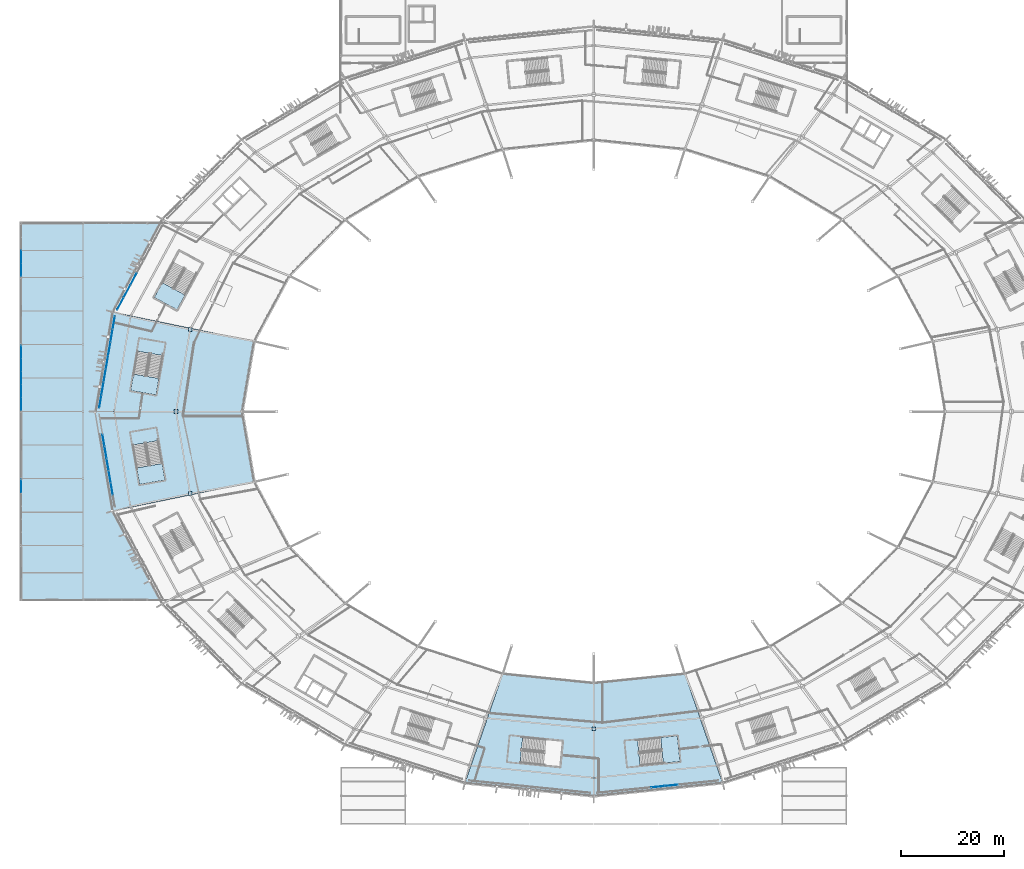
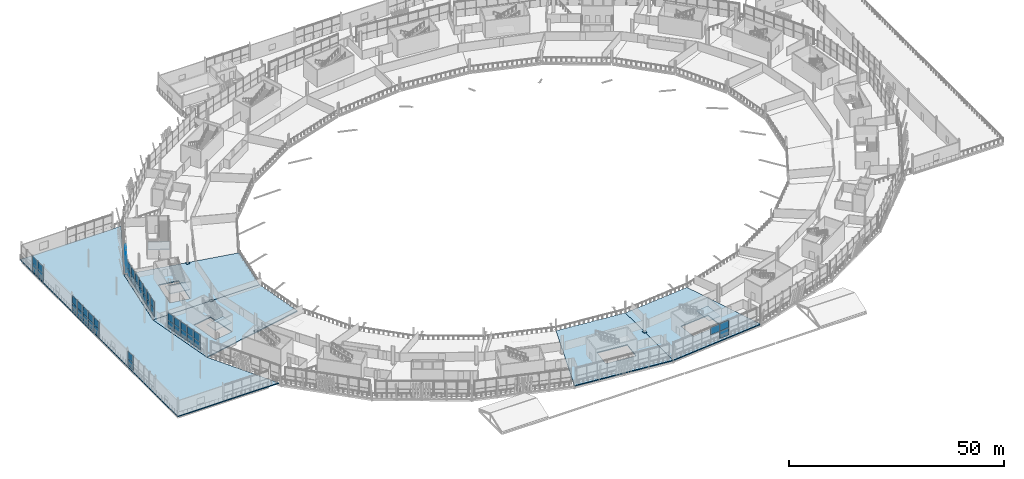
# One storey, part 84 of 168: 52 plates, 9 slabs, 11 elements without a shape of their own.
"""IFC4 building model written with IfcOpenShell, lengths in metres."""

from ifc_helpers import new_model, si_unit, direction, frame, origin, origin_2d, place, context, subcontext, project, spatial, polyline, rectangle, outline, extrude, material, layer, layer_set, type_object, element, aggregate, save


model = new_model("IFC4")

# Units and contexts
model_context = context("Model", 3, precision=1e-05, world=origin(), true_north=direction((0.0, 1.0)))
body_context = subcontext(model_context, "Body", "Model", "MODEL_VIEW")
ifc_project = project(units=[si_unit("LENGTHUNIT", "METRE"), si_unit("AREAUNIT", "SQUARE_METRE"), si_unit("VOLUMEUNIT", "CUBIC_METRE"), si_unit("PLANEANGLEUNIT", "RADIAN"), si_unit("MASSUNIT", "GRAM", prefix="KILO")], contexts=[model_context])

# Site, building, storey
site_placement = place(None, origin())
site = spatial("IfcSite", under=ifc_project, at=site_placement, CompositionType="ELEMENT")
building_placement = place(site_placement, origin())
building = spatial("IfcBuilding", under=site, at=building_placement, Name="Zlatoyarsky Gate Stadium", CompositionType="ELEMENT")
storey_placement = place(building_placement, frame((0.0, 0.0, 15.60009765625)))
storey = spatial("IfcBuildingStorey", under=building, at=storey_placement, Name="L03", CompositionType="ELEMENT", Elevation=15.60009765625)

# Curtain wall, plates
ifc_material_1 = material(Name="Thermally broken anodised aluminium curtain wall", Category="aluminium")
curtain_wall_type_1 = type_object("IfcCurtainWallType", Name="MONUMENTAL ARCHED GATE GLAZING UPPER", PredefinedType="USERDEFINED", material=ifc_material_1)
curtain_wall_1_placement = place(storey_placement, origin())
curtain_wall_1 = element("IfcCurtainWall", 1, at=curtain_wall_1_placement, inside=storey, type_object=curtain_wall_type_1, Name="Curtain wall CW-L03-12", ObjectType="ARCHED GATE GLAZING", PredefinedType="USERDEFINED")
ifc_material_2 = material(Name="Triple-glazed argon low-e architectural glass", Category="glass")
ifc_layer_1 = layer(ifc_material_2, 0.0458984375)
ifc_layer_set_1 = layer_set([ifc_layer_1], Name="Triple-glazed argon low-e architectural glass")
plate_type_1 = type_object("IfcPlateType", Name="ACOUSTIC LAMINATED GATE GLAZING PANEL 46", PredefinedType="CURTAIN_PANEL", material=ifc_layer_set_1)
plate_1_placement = place(storey_placement, frame((15.951171875, 74.41796875, 0.074951171875), z_axis=(0.0, 0.0, 1.0), x_axis=(0.168353683036, -0.985726654508, 0.0)))
plate_1 = element("IfcPlate", 2, at=plate_1_placement, type_object=plate_type_1, Name="CW-AG2 panel 1.1", PredefinedType="CURTAIN_PANEL", context=body_context, shape_type="SweptSolid", body=[
    extrude(rectangle(XDim=2.27587890625, YDim=0.0458984375, at=origin_2d()), origin(), (0.0, 0.0, 1.0), 2.03759765625),
])
plate_2_placement = place(storey_placement, frame((15.951171875, 74.41796875, 2.1875), z_axis=(0.0, 0.0, 1.0), x_axis=(0.168353683036, -0.985726654508, 0.0)))
plate_2 = element("IfcPlate", 3, at=plate_2_placement, type_object=plate_type_1, Name="CW-AG2 panel 1.2", PredefinedType="CURTAIN_PANEL", context=body_context, shape_type="SweptSolid", body=[
    extrude(rectangle(XDim=2.27587890625, YDim=0.0458984375, at=origin_2d()), origin(), (0.0, 0.0, 1.0), 2.117431640625),
])
plate_3_placement = place(storey_placement, frame((16.35009765625, 72.08203125, 0.074951171875), z_axis=(0.0, 0.0, 1.0), x_axis=(0.168353683036, -0.985726654508, 0.0)))
plate_3 = element("IfcPlate", 4, at=plate_3_placement, type_object=plate_type_1, Name="CW-AG2 panel 2.1", PredefinedType="CURTAIN_PANEL", context=body_context, shape_type="SweptSolid", body=[
    extrude(rectangle(XDim=2.3134765625, YDim=0.0458984375, at=origin_2d()), origin(), (0.0, 0.0, 1.0), 2.03759765625),
])
plate_4_placement = place(storey_placement, frame((16.35009765625, 72.08203125, 2.1875), z_axis=(0.0, 0.0, 1.0), x_axis=(0.168353683036, -0.985726654508, 0.0)))
plate_4 = element("IfcPlate", 5, at=plate_4_placement, type_object=plate_type_1, Name="CW-AG2 panel 2.2", PredefinedType="CURTAIN_PANEL", context=body_context, shape_type="SweptSolid", body=[
    extrude(rectangle(XDim=2.3134765625, YDim=0.0458984375, at=origin_2d()), origin(), (0.0, 0.0, 1.0), 2.117431640625),
])
plate_5_placement = place(storey_placement, frame((16.752197265625, 69.727783203125, 0.074951171875), z_axis=(0.0, 0.0, 1.0), x_axis=(0.168353683036, -0.985726654508, 0.0)))
plate_5 = element("IfcPlate", 6, at=plate_5_placement, type_object=plate_type_1, Name="CW-AG2 panel 3.1", PredefinedType="CURTAIN_PANEL", context=body_context, shape_type="SweptSolid", body=[
    extrude(rectangle(XDim=2.3134765625, YDim=0.0458984375, at=origin_2d()), origin(), (0.0, 0.0, 1.0), 2.03759765625),
])
plate_6_placement = place(storey_placement, frame((16.752197265625, 69.727783203125, 2.1875), z_axis=(0.0, 0.0, 1.0), x_axis=(0.168353683036, -0.985726654508, 0.0)))
plate_6 = element("IfcPlate", 7, at=plate_6_placement, type_object=plate_type_1, Name="CW-AG2 panel 3.2", PredefinedType="CURTAIN_PANEL", context=body_context, shape_type="SweptSolid", body=[
    extrude(rectangle(XDim=2.3134765625, YDim=0.0458984375, at=origin_2d()), origin(), (0.0, 0.0, 1.0), 2.117431640625),
])
plate_7_placement = place(storey_placement, frame((17.154296875, 67.373291015625, 0.074951171875), z_axis=(0.0, 0.0, 1.0), x_axis=(0.168353683036, -0.985726654508, 0.0)))
plate_7 = element("IfcPlate", 8, at=plate_7_placement, type_object=plate_type_1, Name="CW-AG2 panel 4.1", PredefinedType="CURTAIN_PANEL", context=body_context, shape_type="SweptSolid", body=[
    extrude(rectangle(XDim=2.3134765625, YDim=0.0458984375, at=origin_2d()), origin(), (0.0, 0.0, 1.0), 2.03759765625),
])
plate_8_placement = place(storey_placement, frame((17.154296875, 67.373291015625, 2.1875), z_axis=(0.0, 0.0, 1.0), x_axis=(0.168353683036, -0.985726654508, 0.0)))
plate_8 = element("IfcPlate", 9, at=plate_8_placement, type_object=plate_type_1, Name="CW-AG2 panel 4.2", PredefinedType="CURTAIN_PANEL", context=body_context, shape_type="SweptSolid", body=[
    extrude(rectangle(XDim=2.3134765625, YDim=0.0458984375, at=origin_2d()), origin(), (0.0, 0.0, 1.0), 2.117431640625),
])
plate_9_placement = place(storey_placement, frame((17.556396484375, 65.01904296875, 0.074951171875), z_axis=(0.0, 0.0, 1.0), x_axis=(0.168353683036, -0.985726654508, 0.0)))
plate_9 = element("IfcPlate", 10, at=plate_9_placement, type_object=plate_type_1, Name="CW-AG2 panel 5.1", PredefinedType="CURTAIN_PANEL", context=body_context, shape_type="SweptSolid", body=[
    extrude(rectangle(XDim=2.3134765625, YDim=0.0458984375, at=origin_2d()), origin(), (0.0, 0.0, 1.0), 2.03759765625),
])
plate_10_placement = place(storey_placement, frame((17.556396484375, 65.01904296875, 2.1875), z_axis=(0.0, 0.0, 1.0), x_axis=(0.168353683036, -0.985726654508, 0.0)))
plate_10 = element("IfcPlate", 11, at=plate_10_placement, type_object=plate_type_1, Name="CW-AG2 panel 5.2", PredefinedType="CURTAIN_PANEL", context=body_context, shape_type="SweptSolid", body=[
    extrude(rectangle(XDim=2.3134765625, YDim=0.0458984375, at=origin_2d()), origin(), (0.0, 0.0, 1.0), 2.117431640625),
])
aggregate(curtain_wall_1, [plate_1, plate_2, plate_3, plate_4, plate_5, plate_6, plate_7, plate_8, plate_9, plate_10])

curtain_wall_2_placement = place(storey_placement, origin())
curtain_wall_2 = element("IfcCurtainWall", 12, at=curtain_wall_2_placement, inside=storey, type_object=curtain_wall_type_1, Name="Curtain wall CW-L03-18", ObjectType="ARCHED GATE GLAZING", PredefinedType="USERDEFINED")
plate_11_placement = place(storey_placement, frame((123.423583984375, 7.258544921875, 2.1875), z_axis=(0.0, 0.0, 1.0), x_axis=(0.994889655868, 0.100968176403, 0.0)))
plate_11 = element("IfcPlate", 13, at=plate_11_placement, type_object=plate_type_1, Name="CW-AG2 panel 5.2", PredefinedType="CURTAIN_PANEL", context=body_context, shape_type="SweptSolid", body=[
    extrude(rectangle(XDim=2.555419921875, YDim=0.0458984375, at=origin_2d()), origin(), (0.0, 0.0, 1.0), 2.117431640625),
])
plate_12_placement = place(storey_placement, frame((126.040771484375, 7.524169921875, 0.074951171875), z_axis=(0.0, 0.0, 1.0), x_axis=(0.994889655868, 0.100968176403, 0.0)))
plate_12 = element("IfcPlate", 14, at=plate_12_placement, type_object=plate_type_1, Name="CW-AG2 panel 6.1", PredefinedType="CURTAIN_PANEL", context=body_context, shape_type="SweptSolid", body=[
    extrude(rectangle(XDim=2.555419921875, YDim=0.0458984375, at=origin_2d()), origin(), (0.0, 0.0, 1.0), 2.03759765625),
])
plate_13_placement = place(storey_placement, frame((126.040771484375, 7.524169921875, 2.1875), z_axis=(0.0, 0.0, 1.0), x_axis=(0.994889655868, 0.100968176403, 0.0)))
plate_13 = element("IfcPlate", 15, at=plate_13_placement, type_object=plate_type_1, Name="CW-AG2 panel 6.2", PredefinedType="CURTAIN_PANEL", context=body_context, shape_type="SweptSolid", body=[
    extrude(rectangle(XDim=2.555419921875, YDim=0.0458984375, at=origin_2d()), origin(), (0.0, 0.0, 1.0), 2.117431640625),
])
aggregate(curtain_wall_2, [plate_11, plate_12, plate_13])

# Slabs
ifc_material_3 = material(Name="Concrete C40/50", Category="concrete")
ifc_layer_2 = layer(ifc_material_3, 0.280029296875)
ifc_layer_set_2 = layer_set([ifc_layer_2], Name="Concrete C40/50")
slab_type_1 = type_object("IfcSlabType", Name="CONCRETE HOSPITALITY SLAB 280", PredefinedType="FLOOR", material=ifc_layer_set_2)
slab_1_placement = place(storey_placement, frame((0.0, 0.0, -0.280029296875)))
element("IfcSlab", 16, at=slab_1_placement, inside=storey, type_object=slab_type_1, Name="L03 bowl sector 11 slab", PredefinedType="FLOOR", context=body_context, shape_type="SweptSolid", body=[
    extrude(outline(polyline([(43.0, 80.0), (14.2978515625, 80.0), (17.5927734375, 99.33447265625), (45.31689453125, 93.587890625), (43.0, 80.0)]), holes=[polyline([(27.452392578125, 90.8583984375), (22.525390625, 91.7080078125), (21.208251953125, 84.07080078125), (26.135498046875, 83.22119140625), (27.452392578125, 90.8583984375)])]), origin(), (0.0, 0.0, 1.0), 0.280029296875),
])
slab_2_placement = place(storey_placement, frame((0.0, 0.0, -0.280029296875)))
element("IfcSlab", 17, at=slab_2_placement, inside=storey, type_object=slab_type_1, Name="L03 bowl sector 12 slab", PredefinedType="FLOOR", context=body_context, shape_type="SweptSolid", body=[
    extrude(outline(polyline([(45.31689453125, 66.412109375), (17.5927734375, 60.66552734375), (14.2978515625, 80.0), (43.0, 80.0), (45.31689453125, 66.412109375)]), holes=[polyline([(21.62451171875, 73.514892578125), (22.941650390625, 65.877685546875), (27.868896484375, 66.727294921875), (26.552001953125, 74.364501953125), (21.62451171875, 73.514892578125)])]), origin(), (0.0, 0.0, 1.0), 0.280029296875),
])
slab_3_placement = place(storey_placement, frame((0.0, 0.0, -0.280029296875)))
element("IfcSlab", 18, at=slab_3_placement, inside=storey, type_object=slab_type_1, Name="L03 bowl sector 17 slab", PredefinedType="FLOOR", context=body_context, shape_type="SweptSolid", body=[
    extrude(outline(polyline([(111.0, 27.5), (111.0, 5.2978515625), (85.9716796875, 7.84326171875), (93.400390625, 29.288818359375), (111.0, 27.5)]), holes=[polyline([(96.73046875, 11.9091796875), (104.441650390625, 11.134033203125), (104.941650390625, 16.109130859375), (97.23046875, 16.884033203125), (96.73046875, 11.9091796875)])]), origin(), (0.0, 0.0, 1.0), 0.280029296875),
])
slab_4_placement = place(storey_placement, frame((0.0, 0.0, -0.280029296875)))
element("IfcSlab", 19, at=slab_4_placement, inside=storey, type_object=slab_type_1, Name="L03 bowl sector 18 slab", PredefinedType="FLOOR", context=body_context, shape_type="SweptSolid", body=[
    extrude(outline(polyline([(128.599609375, 29.288818359375), (136.0283203125, 7.84326171875), (111.0, 5.2978515625), (111.0, 27.5), (128.599609375, 29.288818359375)]), holes=[polyline([(119.99609375, 11.379150390625), (127.707275390625, 12.154296875), (127.207275390625, 17.129150390625), (119.49609375, 16.35400390625), (119.99609375, 11.379150390625)])]), origin(), (0.0, 0.0, 1.0), 0.280029296875),
])
slab_5_placement = place(storey_placement, frame((0.0, 0.0, -0.280029296875)))
element("IfcSlab", 20, at=slab_5_placement, inside=storey, type_object=slab_type_1, Name="L03 wing V4_WEST slab", PredefinedType="FLOOR", context=body_context, shape_type="SweptSolid", body=[
    extrude(outline(polyline([(26.92578125, 116.739990234375), (17.5927734375, 99.33447265625), (14.2978515625, 80.0), (17.5927734375, 60.66552734375), (26.92578125, 43.260009765625), (-0.239990234375, 43.260009765625), (-0.239990234375, 116.739990234375), (26.92578125, 116.739990234375)])), origin(), (0.0, 0.0, 1.0), 0.280029296875),
])

# Stair, slab
stair_type = type_object("IfcStairType", Name="CONCRETE DOGLEG EXIT STAIR H5200", PredefinedType="TWO_STRAIGHT_RUN_STAIR", material=ifc_material_3)
stair_1_placement = place(storey_placement, origin())
stair_1 = element("IfcStair", 21, at=stair_1_placement, inside=storey, type_object=stair_type, Name="L03 Exit Stair ST-06", PredefinedType="TWO_STRAIGHT_RUN_STAIR")
ifc_layer_3 = layer(ifc_material_3, 0.199951171875)
ifc_layer_set_3 = layer_set([ifc_layer_3], Name="Concrete C40/50")
slab_type_2 = type_object("IfcSlabType", Name="CONCRETE STAIR LANDING SLAB 200", PredefinedType="LANDING", material=ifc_layer_set_3)
slab_6_placement = place(storey_placement, frame((0.0, 0.0, 2.39990234375)))
slab_6 = element("IfcSlab", 22, at=slab_6_placement, type_object=slab_type_2, Name="ST-DG52 landing 1", PredefinedType="LANDING", context=body_context, shape_type="SweptSolid", body=[
    extrude(outline(polyline([(27.35107421875, 104.990478515625), (25.80126953125, 102.1337890625), (30.196044921875, 99.749267578125), (31.745849609375, 102.60595703125), (27.35107421875, 104.990478515625)])), origin(), (0.0, 0.0, 1.0), 0.199951171875),
])
aggregate(stair_1, [slab_6])

stair_2_placement = place(storey_placement, origin())
stair_2 = element("IfcStair", 23, at=stair_2_placement, inside=storey, type_object=stair_type, Name="L03 Exit Stair ST-07", PredefinedType="TWO_STRAIGHT_RUN_STAIR")
slab_7_placement = place(storey_placement, frame((0.0, 0.0, 2.39990234375)))
slab_7 = element("IfcSlab", 24, at=slab_7_placement, type_object=slab_type_2, Name="ST-DG52 landing 1", PredefinedType="LANDING", context=body_context, shape_type="SweptSolid", body=[
    extrude(outline(polyline([(22.389404296875, 69.080322265625), (22.941650390625, 65.87744140625), (27.868896484375, 66.727294921875), (27.316650390625, 69.929931640625), (22.389404296875, 69.080322265625)])), origin(), (0.0, 0.0, 1.0), 0.199951171875),
])
aggregate(stair_2, [slab_7])

stair_3_placement = place(storey_placement, origin())
stair_3 = element("IfcStair", 25, at=stair_3_placement, inside=storey, type_object=stair_type, Name="L03 Exit Stair ST-10", PredefinedType="TWO_STRAIGHT_RUN_STAIR")
slab_8_placement = place(storey_placement, frame((0.0, 0.0, 2.39990234375)))
slab_8 = element("IfcSlab", 26, at=slab_8_placement, type_object=slab_type_2, Name="ST-DG52 landing 1", PredefinedType="LANDING", context=body_context, shape_type="SweptSolid", body=[
    extrude(outline(polyline([(124.4736328125, 11.829345703125), (127.707275390625, 12.154296875), (127.207275390625, 17.129150390625), (123.9736328125, 16.80419921875), (124.4736328125, 11.829345703125)])), origin(), (0.0, 0.0, 1.0), 0.199951171875),
])
aggregate(stair_3, [slab_8])

stair_4_placement = place(storey_placement, origin())
stair_4 = element("IfcStair", 27, at=stair_4_placement, inside=storey, type_object=stair_type, Name="L03 Exit Stair ST-18", PredefinedType="TWO_STRAIGHT_RUN_STAIR")
slab_9_placement = place(storey_placement, frame((0.0, 0.0, 2.39990234375)))
slab_9 = element("IfcSlab", 28, at=slab_9_placement, type_object=slab_type_2, Name="ST-DG52 landing 1", PredefinedType="LANDING", context=body_context, shape_type="SweptSolid", body=[
    extrude(outline(polyline([(21.760498046875, 87.2734375), (21.208251953125, 84.07080078125), (26.135498046875, 83.22119140625), (26.687744140625, 86.423828125), (21.760498046875, 87.2734375)])), origin(), (0.0, 0.0, 1.0), 0.199951171875),
])
aggregate(stair_4, [slab_9])

# Curtain wall, plates
curtain_wall_type_2 = type_object("IfcCurtainWallType", Name="WINTER GARDEN CONSERVATORY GLAZING", PredefinedType="USERDEFINED", material=ifc_material_1)
curtain_wall_3_placement = place(storey_placement, origin())
curtain_wall_3 = element("IfcCurtainWall", 29, at=curtain_wall_3_placement, inside=storey, type_object=curtain_wall_type_2, Name="Curtain wall CW-V4_WEST-L03-172", ObjectType="UNITISED GLAZING", PredefinedType="USERDEFINED")
ifc_material_4 = material(Name="Anodised aluminium spandrel panel", Category="aluminium")
ifc_layer_4 = layer(ifc_material_4, 0.05810546875)
ifc_layer_set_4 = layer_set([ifc_layer_4], Name="Anodised aluminium spandrel panel")
plate_type_2 = type_object("IfcPlateType", Name="INSULATED ALUMINIUM SPANDREL PANEL 58", PredefinedType="CURTAIN_PANEL", material=ifc_layer_set_4)
plate_14_placement = place(storey_placement, frame((0.0, 81.469970703125, 0.06494140625), z_axis=(0.0, 0.0, 1.0), x_axis=(0.0, 1.0, 0.0)))
plate_14 = element("IfcPlate", 30, at=plate_14_placement, type_object=plate_type_2, Name="CW-WG1 panel 1.1", PredefinedType="CURTAIN_PANEL", context=body_context, shape_type="SweptSolid", body=[
    extrude(rectangle(XDim=2.42578125, YDim=0.05810546875, at=origin_2d()), origin(), (0.0, 0.0, 1.0), 2.052490234375),
])
plate_15_placement = place(storey_placement, frame((0.0, 81.469970703125, 2.1826171875), z_axis=(0.0, 0.0, 1.0), x_axis=(0.0, 1.0, 0.0)))
plate_15 = element("IfcPlate", 31, at=plate_15_placement, type_object=plate_type_2, Name="CW-WG1 panel 1.2", PredefinedType="CURTAIN_PANEL", context=body_context, shape_type="SweptSolid", body=[
    extrude(rectangle(XDim=2.42578125, YDim=0.05810546875, at=origin_2d()), origin(), (0.0, 0.0, 1.0), 2.032470703125),
])
plate_16_placement = place(storey_placement, frame((0.0, 83.976806640625, 0.06494140625), z_axis=(0.0, 0.0, 1.0), x_axis=(0.0, 1.0, 0.0)))
plate_16 = element("IfcPlate", 32, at=plate_16_placement, type_object=plate_type_2, Name="CW-WG1 panel 2.1", PredefinedType="CURTAIN_PANEL", context=body_context, shape_type="SweptSolid", body=[
    extrude(rectangle(XDim=2.458251953125, YDim=0.05810546875, at=origin_2d()), origin(), (0.0, 0.0, 1.0), 2.052490234375),
])
plate_17_placement = place(storey_placement, frame((0.0, 83.976806640625, 2.1826171875), z_axis=(0.0, 0.0, 1.0), x_axis=(0.0, 1.0, 0.0)))
plate_17 = element("IfcPlate", 33, at=plate_17_placement, type_object=plate_type_2, Name="CW-WG1 panel 2.2", PredefinedType="CURTAIN_PANEL", context=body_context, shape_type="SweptSolid", body=[
    extrude(rectangle(XDim=2.458251953125, YDim=0.05810546875, at=origin_2d()), origin(), (0.0, 0.0, 1.0), 2.032470703125),
])
plate_18_placement = place(storey_placement, frame((0.0, 86.5, 0.06494140625), z_axis=(0.0, 0.0, 1.0), x_axis=(0.0, 1.0, 0.0)))
plate_18 = element("IfcPlate", 34, at=plate_18_placement, type_object=plate_type_2, Name="CW-WG1 panel 3.1", PredefinedType="CURTAIN_PANEL", context=body_context, shape_type="SweptSolid", body=[
    extrude(rectangle(XDim=2.458251953125, YDim=0.05810546875, at=origin_2d()), origin(), (0.0, 0.0, 1.0), 2.052490234375),
])
plate_19_placement = place(storey_placement, frame((0.0, 86.5, 2.1826171875), z_axis=(0.0, 0.0, 1.0), x_axis=(0.0, 1.0, 0.0)))
plate_19 = element("IfcPlate", 35, at=plate_19_placement, type_object=plate_type_2, Name="CW-WG1 panel 3.2", PredefinedType="CURTAIN_PANEL", context=body_context, shape_type="SweptSolid", body=[
    extrude(rectangle(XDim=2.458251953125, YDim=0.05810546875, at=origin_2d()), origin(), (0.0, 0.0, 1.0), 2.032470703125),
])
plate_20_placement = place(storey_placement, frame((0.0, 89.023193359375, 0.06494140625), z_axis=(0.0, 0.0, 1.0), x_axis=(0.0, 1.0, 0.0)))
plate_20 = element("IfcPlate", 36, at=plate_20_placement, type_object=plate_type_2, Name="CW-WG1 panel 4.1", PredefinedType="CURTAIN_PANEL", context=body_context, shape_type="SweptSolid", body=[
    extrude(rectangle(XDim=2.458251953125, YDim=0.05810546875, at=origin_2d()), origin(), (0.0, 0.0, 1.0), 2.052490234375),
])
plate_21_placement = place(storey_placement, frame((0.0, 89.023193359375, 2.1826171875), z_axis=(0.0, 0.0, 1.0), x_axis=(0.0, 1.0, 0.0)))
plate_21 = element("IfcPlate", 37, at=plate_21_placement, type_object=plate_type_2, Name="CW-WG1 panel 4.2", PredefinedType="CURTAIN_PANEL", context=body_context, shape_type="SweptSolid", body=[
    extrude(rectangle(XDim=2.458251953125, YDim=0.05810546875, at=origin_2d()), origin(), (0.0, 0.0, 1.0), 2.032470703125),
])
plate_22_placement = place(storey_placement, frame((0.0, 91.530029296875, 0.06494140625), z_axis=(0.0, 0.0, 1.0), x_axis=(0.0, 1.0, 0.0)))
plate_22 = element("IfcPlate", 38, at=plate_22_placement, type_object=plate_type_2, Name="CW-WG1 panel 5.1", PredefinedType="CURTAIN_PANEL", context=body_context, shape_type="SweptSolid", body=[
    extrude(rectangle(XDim=2.42578125, YDim=0.05810546875, at=origin_2d()), origin(), (0.0, 0.0, 1.0), 2.052490234375),
])
plate_23_placement = place(storey_placement, frame((0.0, 91.530029296875, 2.1826171875), z_axis=(0.0, 0.0, 1.0), x_axis=(0.0, 1.0, 0.0)))
plate_23 = element("IfcPlate", 39, at=plate_23_placement, type_object=plate_type_2, Name="CW-WG1 panel 5.2", PredefinedType="CURTAIN_PANEL", context=body_context, shape_type="SweptSolid", body=[
    extrude(rectangle(XDim=2.42578125, YDim=0.05810546875, at=origin_2d()), origin(), (0.0, 0.0, 1.0), 2.032470703125),
])
aggregate(curtain_wall_3, [plate_14, plate_15, plate_16, plate_17, plate_18, plate_19, plate_20, plate_21, plate_22, plate_23])

# Plates
ifc_material_5 = material(Name="Steel S355", Category="steel")
ifc_layer_5 = layer(ifc_material_5, 0.0400390625)
ifc_layer_set_5 = layer_set([ifc_layer_5], Name="Steel S355")
plate_type_3 = type_object("IfcPlateType", Name="STEEL COLUMN BASE PLATE 40", PredefinedType="USERDEFINED", material=ifc_layer_set_5)
for number, where, z_axis, x_axis, name in (
    (40, (32.760009765625, 95.91748046875, 0.0), (0.0, 0.0, 1.0), (1.0, 0.0, 0.0), "Column base plate BP-01 at RB-11 L03"),
    (41, (30.0, 80.0, 0.0), (0.0, 0.0, 1.0), (1.0, 0.0, 0.0), "Column base plate BP-01 at RB-12 L03"),
    (42, (32.760009765625, 64.08251953125, 0.0), (0.0, 0.0, 1.0), (1.0, 0.0, 0.0), "Column base plate BP-01 at RB-13 L03"),
    (43, (111.0, 18.5, 0.0), (0.0, 0.0, 1.0), (1.0, 0.0, 0.0), "Column base plate BP-01 at RB-18 L03"),
):
    element("IfcPlate", number, at=place(storey_placement, frame(where, z_axis=z_axis, x_axis=x_axis)), inside=storey, type_object=plate_type_3, Name=name, ObjectType="BASE PLATE", PredefinedType="USERDEFINED", context=body_context, shape_type="SweptSolid", body=[
        extrude(rectangle(XDim=0.75, YDim=0.75, at=origin_2d()), origin(), (0.0, 0.0, 1.0), 0.0400390625),
    ])

# Curtain wall, plates
curtain_wall_type_3 = type_object("IfcCurtainWallType", Name="UNITISED CORPORATE BOX GLAZING L03", PredefinedType="USERDEFINED", material=ifc_material_1)
curtain_wall_4_placement = place(storey_placement, origin())
curtain_wall_4 = element("IfcCurtainWall", 44, at=curtain_wall_4_placement, inside=storey, type_object=curtain_wall_type_3, Name="Curtain wall CW-L03-10", ObjectType="UNITISED GLAZING", PredefinedType="USERDEFINED")
ifc_layer_6 = layer(ifc_material_2, 0.0380859375)
ifc_layer_set_6 = layer_set([ifc_layer_6], Name="Triple-glazed argon low-e architectural glass")
plate_type_4 = type_object("IfcPlateType", Name="TRIPLE GLAZED LOW E CURTAIN PANEL 38", PredefinedType="CURTAIN_PANEL", material=ifc_layer_set_6)
plate_24_placement = place(storey_placement, frame((21.7822265625, 105.691162109375, 0.06494140625), z_axis=(0.0, 0.0, 1.0), x_axis=(-0.473344857694, -0.880877202392, 0.0)))
plate_24 = element("IfcPlate", 45, at=plate_24_placement, type_object=plate_type_4, Name="CW-UG3 panel 5.1", PredefinedType="CURTAIN_PANEL", context=body_context, shape_type="SweptSolid", body=[
    extrude(rectangle(XDim=2.643798828125, YDim=0.0380859375, at=origin_2d()), origin(), (0.0, 0.0, 1.0), 2.052490234375),
])
plate_25_placement = place(storey_placement, frame((20.5, 103.304931640625, 0.06494140625), z_axis=(0.0, 0.0, 1.0), x_axis=(-0.473344857694, -0.880877202392, 0.0)))
plate_25 = element("IfcPlate", 46, at=plate_25_placement, type_object=plate_type_4, Name="CW-UG3 panel 6.1", PredefinedType="CURTAIN_PANEL", context=body_context, shape_type="SweptSolid", body=[
    extrude(rectangle(XDim=2.643798828125, YDim=0.0380859375, at=origin_2d()), origin(), (0.0, 0.0, 1.0), 2.052490234375),
])
plate_26_placement = place(storey_placement, frame((20.5, 103.304931640625, 2.18212890625), z_axis=(0.0, 0.0, 1.0), x_axis=(-0.473344857694, -0.880877202392, 0.0)))
plate_26 = element("IfcPlate", 47, at=plate_26_placement, type_object=plate_type_4, Name="CW-UG3 panel 6.2", PredefinedType="CURTAIN_PANEL", context=body_context, shape_type="SweptSolid", body=[
    extrude(rectangle(XDim=2.643798828125, YDim=0.0380859375, at=origin_2d()), origin(), (0.0, 0.0, 1.0), 2.132568359375),
])
plate_27_placement = place(storey_placement, frame((19.2255859375, 100.93310546875, 0.06494140625), z_axis=(0.0, 0.0, 1.0), x_axis=(-0.473344857694, -0.880877202392, 0.0)))
plate_27 = element("IfcPlate", 48, at=plate_27_placement, type_object=plate_type_4, Name="CW-UG3 panel 7.1", PredefinedType="CURTAIN_PANEL", context=body_context, shape_type="SweptSolid", body=[
    extrude(rectangle(XDim=2.611328125, YDim=0.0380859375, at=origin_2d()), origin(), (0.0, 0.0, 1.0), 2.052490234375),
])
plate_28_placement = place(storey_placement, frame((19.2255859375, 100.93310546875, 2.18212890625), z_axis=(0.0, 0.0, 1.0), x_axis=(-0.473344857694, -0.880877202392, 0.0)))
plate_28 = element("IfcPlate", 49, at=plate_28_placement, type_object=plate_type_4, Name="CW-UG3 panel 7.2", PredefinedType="CURTAIN_PANEL", context=body_context, shape_type="SweptSolid", body=[
    extrude(rectangle(XDim=2.611328125, YDim=0.0380859375, at=origin_2d()), origin(), (0.0, 0.0, 1.0), 2.132568359375),
])
aggregate(curtain_wall_4, [plate_24, plate_25, plate_26, plate_27, plate_28])

curtain_wall_5_placement = place(storey_placement, origin())
curtain_wall_5 = element("IfcCurtainWall", 50, at=curtain_wall_5_placement, inside=storey, type_object=curtain_wall_type_3, Name="Curtain wall CW-L03-11", ObjectType="UNITISED GLAZING", PredefinedType="USERDEFINED")
plate_29_placement = place(storey_placement, frame((17.938720703125, 97.219970703125, 0.06494140625), z_axis=(0.0, 0.0, 1.0), x_axis=(-0.168356330104, -0.985726202408, 0.0)))
plate_29 = element("IfcPlate", 51, at=plate_29_placement, type_object=plate_type_4, Name="CW-UG3 panel 1.1", PredefinedType="CURTAIN_PANEL", context=body_context, shape_type="SweptSolid", body=[
    extrude(rectangle(XDim=2.49267578125, YDim=0.0380859375, at=origin_2d()), origin(), (0.0, 0.0, 1.0), 2.052490234375),
])
plate_30_placement = place(storey_placement, frame((17.938720703125, 97.219970703125, 2.18212890625), z_axis=(0.0, 0.0, 1.0), x_axis=(-0.168356330104, -0.985726202408, 0.0)))
plate_30 = element("IfcPlate", 52, at=plate_30_placement, type_object=plate_type_4, Name="CW-UG3 panel 1.2", PredefinedType="CURTAIN_PANEL", context=body_context, shape_type="SweptSolid", body=[
    extrude(rectangle(XDim=2.49267578125, YDim=0.0380859375, at=origin_2d()), origin(), (0.0, 0.0, 1.0), 2.132568359375),
])
plate_31_placement = place(storey_placement, frame((17.505615234375, 94.682861328125, 0.06494140625), z_axis=(0.0, 0.0, 1.0), x_axis=(-0.168356330104, -0.985726202408, 0.0)))
plate_31 = element("IfcPlate", 53, at=plate_31_placement, type_object=plate_type_4, Name="CW-UG3 panel 2.1", PredefinedType="CURTAIN_PANEL", context=body_context, shape_type="SweptSolid", body=[
    extrude(rectangle(XDim=2.525146484375, YDim=0.0380859375, at=origin_2d()), origin(), (0.0, 0.0, 1.0), 2.052490234375),
])
plate_32_placement = place(storey_placement, frame((17.505615234375, 94.682861328125, 2.18212890625), z_axis=(0.0, 0.0, 1.0), x_axis=(-0.168356330104, -0.985726202408, 0.0)))
plate_32 = element("IfcPlate", 54, at=plate_32_placement, type_object=plate_type_4, Name="CW-UG3 panel 2.2", PredefinedType="CURTAIN_PANEL", context=body_context, shape_type="SweptSolid", body=[
    extrude(rectangle(XDim=2.525146484375, YDim=0.0380859375, at=origin_2d()), origin(), (0.0, 0.0, 1.0), 2.132568359375),
])
plate_33_placement = place(storey_placement, frame((17.0693359375, 92.129638671875, 0.06494140625), z_axis=(0.0, 0.0, 1.0), x_axis=(-0.168356330104, -0.985726202408, 0.0)))
plate_33 = element("IfcPlate", 55, at=plate_33_placement, type_object=plate_type_4, Name="CW-UG3 panel 3.1", PredefinedType="CURTAIN_PANEL", context=body_context, shape_type="SweptSolid", body=[
    extrude(rectangle(XDim=2.525146484375, YDim=0.0380859375, at=origin_2d()), origin(), (0.0, 0.0, 1.0), 2.052490234375),
])
plate_34_placement = place(storey_placement, frame((17.0693359375, 92.129638671875, 2.18212890625), z_axis=(0.0, 0.0, 1.0), x_axis=(-0.168356330104, -0.985726202408, 0.0)))
plate_34 = element("IfcPlate", 56, at=plate_34_placement, type_object=plate_type_4, Name="CW-UG3 panel 3.2", PredefinedType="CURTAIN_PANEL", context=body_context, shape_type="SweptSolid", body=[
    extrude(rectangle(XDim=2.525146484375, YDim=0.0380859375, at=origin_2d()), origin(), (0.0, 0.0, 1.0), 2.132568359375),
])
plate_35_placement = place(storey_placement, frame((16.63330078125, 89.57666015625, 0.06494140625), z_axis=(0.0, 0.0, 1.0), x_axis=(-0.168356330104, -0.985726202408, 0.0)))
plate_35 = element("IfcPlate", 57, at=plate_35_placement, type_object=plate_type_4, Name="CW-UG3 panel 4.1", PredefinedType="CURTAIN_PANEL", context=body_context, shape_type="SweptSolid", body=[
    extrude(rectangle(XDim=2.525146484375, YDim=0.0380859375, at=origin_2d()), origin(), (0.0, 0.0, 1.0), 2.052490234375),
])
plate_36_placement = place(storey_placement, frame((16.63330078125, 89.57666015625, 2.18212890625), z_axis=(0.0, 0.0, 1.0), x_axis=(-0.168356330104, -0.985726202408, 0.0)))
plate_36 = element("IfcPlate", 58, at=plate_36_placement, type_object=plate_type_4, Name="CW-UG3 panel 4.2", PredefinedType="CURTAIN_PANEL", context=body_context, shape_type="SweptSolid", body=[
    extrude(rectangle(XDim=2.525146484375, YDim=0.0380859375, at=origin_2d()), origin(), (0.0, 0.0, 1.0), 2.132568359375),
])
plate_37_placement = place(storey_placement, frame((16.197265625, 87.0234375, 0.06494140625), z_axis=(0.0, 0.0, 1.0), x_axis=(-0.168356330104, -0.985726202408, 0.0)))
plate_37 = element("IfcPlate", 59, at=plate_37_placement, type_object=plate_type_4, Name="CW-UG3 panel 5.1", PredefinedType="CURTAIN_PANEL", context=body_context, shape_type="SweptSolid", body=[
    extrude(rectangle(XDim=2.525146484375, YDim=0.0380859375, at=origin_2d()), origin(), (0.0, 0.0, 1.0), 2.052490234375),
])
plate_38_placement = place(storey_placement, frame((16.197265625, 87.0234375, 2.18212890625), z_axis=(0.0, 0.0, 1.0), x_axis=(-0.168356330104, -0.985726202408, 0.0)))
plate_38 = element("IfcPlate", 60, at=plate_38_placement, type_object=plate_type_4, Name="CW-UG3 panel 5.2", PredefinedType="CURTAIN_PANEL", context=body_context, shape_type="SweptSolid", body=[
    extrude(rectangle(XDim=2.525146484375, YDim=0.0380859375, at=origin_2d()), origin(), (0.0, 0.0, 1.0), 2.132568359375),
])
plate_39_placement = place(storey_placement, frame((15.76123046875, 84.470458984375, 0.06494140625), z_axis=(0.0, 0.0, 1.0), x_axis=(-0.168356330104, -0.985726202408, 0.0)))
plate_39 = element("IfcPlate", 61, at=plate_39_placement, type_object=plate_type_4, Name="CW-UG3 panel 6.1", PredefinedType="CURTAIN_PANEL", context=body_context, shape_type="SweptSolid", body=[
    extrude(rectangle(XDim=2.525146484375, YDim=0.0380859375, at=origin_2d()), origin(), (0.0, 0.0, 1.0), 2.052490234375),
])
plate_40_placement = place(storey_placement, frame((15.76123046875, 84.470458984375, 2.18212890625), z_axis=(0.0, 0.0, 1.0), x_axis=(-0.168356330104, -0.985726202408, 0.0)))
plate_40 = element("IfcPlate", 62, at=plate_40_placement, type_object=plate_type_4, Name="CW-UG3 panel 6.2", PredefinedType="CURTAIN_PANEL", context=body_context, shape_type="SweptSolid", body=[
    extrude(rectangle(XDim=2.525146484375, YDim=0.0380859375, at=origin_2d()), origin(), (0.0, 0.0, 1.0), 2.132568359375),
])
plate_41_placement = place(storey_placement, frame((15.327880859375, 81.933349609375, 0.06494140625), z_axis=(0.0, 0.0, 1.0), x_axis=(-0.168356330104, -0.985726202408, 0.0)))
plate_41 = element("IfcPlate", 63, at=plate_41_placement, type_object=plate_type_4, Name="CW-UG3 panel 7.1", PredefinedType="CURTAIN_PANEL", context=body_context, shape_type="SweptSolid", body=[
    extrude(rectangle(XDim=2.49267578125, YDim=0.0380859375, at=origin_2d()), origin(), (0.0, 0.0, 1.0), 2.052490234375),
])
plate_42_placement = place(storey_placement, frame((15.327880859375, 81.933349609375, 2.18212890625), z_axis=(0.0, 0.0, 1.0), x_axis=(-0.168356330104, -0.985726202408, 0.0)))
plate_42 = element("IfcPlate", 64, at=plate_42_placement, type_object=plate_type_4, Name="CW-UG3 panel 7.2", PredefinedType="CURTAIN_PANEL", context=body_context, shape_type="SweptSolid", body=[
    extrude(rectangle(XDim=2.49267578125, YDim=0.0380859375, at=origin_2d()), origin(), (0.0, 0.0, 1.0), 2.132568359375),
])
aggregate(curtain_wall_5, [plate_29, plate_30, plate_31, plate_32, plate_33, plate_34, plate_35, plate_36, plate_37, plate_38, plate_39, plate_40, plate_41, plate_42])

curtain_wall_6_placement = place(storey_placement, origin())
curtain_wall_6 = element("IfcCurtainWall", 65, at=curtain_wall_6_placement, inside=storey, type_object=curtain_wall_type_2, Name="Curtain wall CW-V4_WEST-L03-171", ObjectType="UNITISED GLAZING", PredefinedType="USERDEFINED")
plate_43_placement = place(storey_placement, frame((0.0, 65.530029296875, 0.06494140625), z_axis=(0.0, 0.0, 1.0), x_axis=(0.0, 1.0, 0.0)))
plate_43 = element("IfcPlate", 66, at=plate_43_placement, type_object=plate_type_4, Name="CW-WG1 panel 5.1", PredefinedType="CURTAIN_PANEL", context=body_context, shape_type="SweptSolid", body=[
    extrude(rectangle(XDim=2.42578125, YDim=0.0380859375, at=origin_2d()), origin(), (0.0, 0.0, 1.0), 2.052490234375),
])
plate_44_placement = place(storey_placement, frame((0.0, 65.530029296875, 2.1826171875), z_axis=(0.0, 0.0, 1.0), x_axis=(0.0, 1.0, 0.0)))
plate_44 = element("IfcPlate", 67, at=plate_44_placement, type_object=plate_type_4, Name="CW-WG1 panel 5.2", PredefinedType="CURTAIN_PANEL", context=body_context, shape_type="SweptSolid", body=[
    extrude(rectangle(XDim=2.42578125, YDim=0.0380859375, at=origin_2d()), origin(), (0.0, 0.0, 1.0), 2.032470703125),
])
aggregate(curtain_wall_6, [plate_43, plate_44])

curtain_wall_7_placement = place(storey_placement, origin())
curtain_wall_7 = element("IfcCurtainWall", 68, at=curtain_wall_7_placement, inside=storey, type_object=curtain_wall_type_2, Name="Curtain wall CW-V4_WEST-L03-173", ObjectType="UNITISED GLAZING", PredefinedType="USERDEFINED")
plate_45_placement = place(storey_placement, frame((0.0, 107.47265625, 0.06494140625), z_axis=(0.0, 0.0, 1.0), x_axis=(0.0, 1.0, 0.0)))
plate_45 = element("IfcPlate", 69, at=plate_45_placement, type_object=plate_type_4, Name="CW-WG1 panel 1.1", PredefinedType="CURTAIN_PANEL", context=body_context, shape_type="SweptSolid", body=[
    extrude(rectangle(XDim=2.431396484375, YDim=0.0380859375, at=origin_2d()), origin(), (0.0, 0.0, 1.0), 2.052490234375),
])
plate_46_placement = place(storey_placement, frame((0.0, 107.47265625, 2.1826171875), z_axis=(0.0, 0.0, 1.0), x_axis=(0.0, 1.0, 0.0)))
plate_46 = element("IfcPlate", 70, at=plate_46_placement, type_object=plate_type_4, Name="CW-WG1 panel 1.2", PredefinedType="CURTAIN_PANEL", context=body_context, shape_type="SweptSolid", body=[
    extrude(rectangle(XDim=2.431396484375, YDim=0.0380859375, at=origin_2d()), origin(), (0.0, 0.0, 1.0), 2.032470703125),
])
plate_47_placement = place(storey_placement, frame((0.0, 109.985595703125, 0.06494140625), z_axis=(0.0, 0.0, 1.0), x_axis=(0.0, 1.0, 0.0)))
plate_47 = element("IfcPlate", 71, at=plate_47_placement, type_object=plate_type_4, Name="CW-WG1 panel 2.1", PredefinedType="CURTAIN_PANEL", context=body_context, shape_type="SweptSolid", body=[
    extrude(rectangle(XDim=2.464111328125, YDim=0.0380859375, at=origin_2d()), origin(), (0.0, 0.0, 1.0), 2.052490234375),
])
plate_48_placement = place(storey_placement, frame((0.0, 109.985595703125, 2.1826171875), z_axis=(0.0, 0.0, 1.0), x_axis=(0.0, 1.0, 0.0)))
plate_48 = element("IfcPlate", 72, at=plate_48_placement, type_object=plate_type_4, Name="CW-WG1 panel 2.2", PredefinedType="CURTAIN_PANEL", context=body_context, shape_type="SweptSolid", body=[
    extrude(rectangle(XDim=2.464111328125, YDim=0.0380859375, at=origin_2d()), origin(), (0.0, 0.0, 1.0), 2.032470703125),
])
aggregate(curtain_wall_7, [plate_45, plate_46, plate_47, plate_48])

save(model, "model.ifc")
